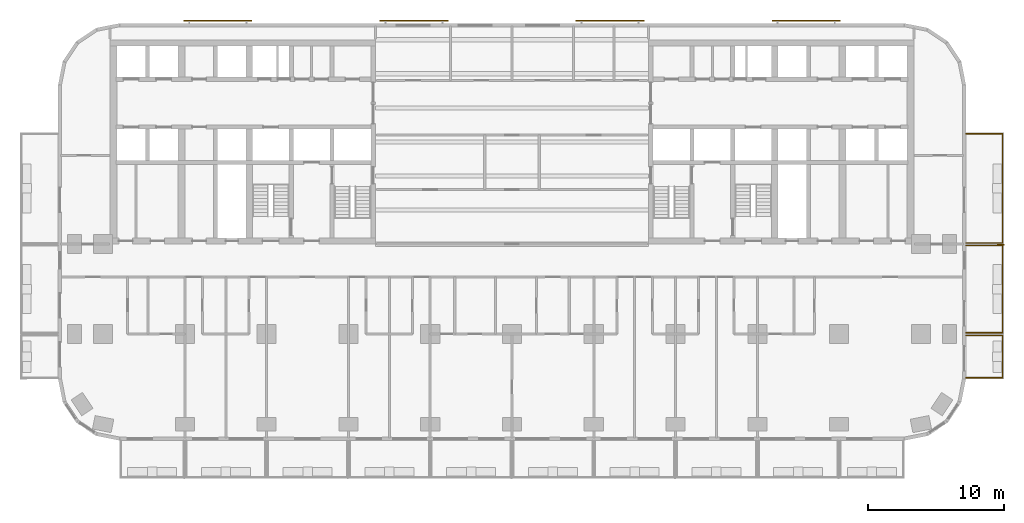
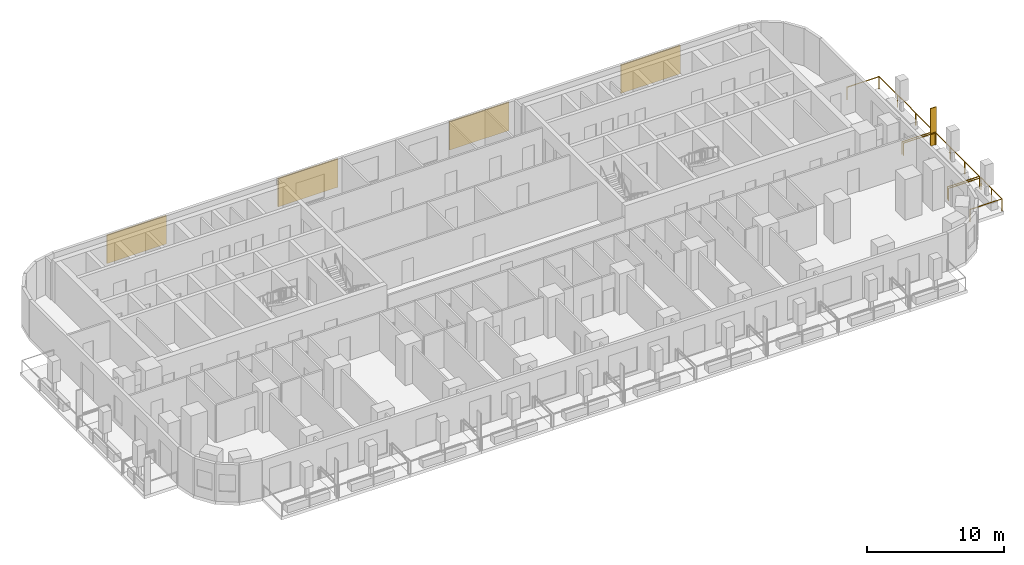
# One storey, part 12 of 13: 5 shading devices, 3 railings.
"""IFC4 building model written with IfcOpenShell, lengths in metres."""

from ifc_helpers import new_model, si_unit, direction, frame, origin, origin_2d, place, context, subcontext, project, spatial, rectangle, circle, extrude, material, layer, layer_set, type_object, element, save


model = new_model("IFC4")

# Units and contexts
model_context = context("Model", 3, precision=1e-05, world=origin(), true_north=direction((0.0, 1.0)))
body_context = subcontext(model_context, "Body", "Model", "MODEL_VIEW")
ifc_project = project(units=[si_unit("LENGTHUNIT", "METRE"), si_unit("AREAUNIT", "SQUARE_METRE"), si_unit("VOLUMEUNIT", "CUBIC_METRE"), si_unit("PLANEANGLEUNIT", "RADIAN"), si_unit("MASSUNIT", "GRAM", prefix="KILO")], contexts=[model_context])

# Site, building, storey
site_placement = place(None, origin())
site = spatial("IfcSite", under=ifc_project, at=site_placement, CompositionType="ELEMENT")
building_placement = place(site_placement, origin())
building = spatial("IfcBuilding", under=site, at=building_placement, Name="Torana Hotel and Residences", CompositionType="ELEMENT")
storey_placement = place(building_placement, frame((0.0, 0.0, 81.60009765625)))
storey = spatial("IfcBuildingStorey", under=building, at=storey_placement, Name="L20", CompositionType="ELEMENT", Elevation=81.60009765625)

# Shading device
ifc_material_1 = material(Name="Black powder coated aluminium", Category="aluminium")
ifc_layer_1 = layer(ifc_material_1, 0.080078125)
ifc_layer_set_1 = layer_set([ifc_layer_1], Name="FN1 VERTICAL FIN 500x80")
shading_device_type_1 = type_object("IfcShadingDeviceType", Name="FN1 VERTICAL FIN 500x80", PredefinedType="USERDEFINED", material=ifc_layer_set_1)
shading_device_placement = place(storey_placement, frame((35.85009765625, -15.0400390625, 0.0), z_axis=(0.0, 0.0, 1.0), x_axis=(0.0, -1.0, 0.0)))
element("IfcShadingDevice", 1, at=shading_device_placement, inside=storey, type_object=shading_device_type_1, Name="Fin 15", ObjectType="FIN", PredefinedType="USERDEFINED", context=body_context, shape_type="SweptSolid", body=[
    extrude(rectangle(XDim=0.080078125, YDim=0.5, at=origin_2d()), origin(), (0.0, 0.0, 1.0), 3.320068359375),
])

# Railings
ifc_material_2 = material(Name="Laminated glass balustrade with black handrail", Category="glass")
railing_type = type_object("IfcRailingType", Name="GR1 BALCONY GUARD 1100 GLASS", PredefinedType="GUARDRAIL", material=ifc_material_2)
railing_1_placement = place(storey_placement, frame((33.300048828125, -21.699951171875, 0.0)))
element("IfcRailing", 2, at=railing_1_placement, inside=storey, type_object=railing_type, Name="Balcony guard 14", PredefinedType="GUARDRAIL", context=body_context, shape_type="SweptSolid", body=[
    extrude(circle(Radius=0.02392578125, at=origin_2d()), frame((0.0, 0.0, 1.076171875), z_axis=(1.0, 0.0, 0.0), x_axis=(0.0, 1.0, 0.0)), (0.0, 0.0, 1.0), 2.699951171875),
    extrude(circle(Radius=0.02392578125, at=origin_2d()), frame((2.699951171875, 0.0, 1.076171875), z_axis=(0.0, -1.0, 0.0), x_axis=(1.0, 0.0, 0.0)), (0.0, 0.0, 1.0), 3.10009765625),
    extrude(circle(Radius=0.02392578125, at=origin_2d()), frame((2.699951171875, -3.10009765625, 1.076171875), z_axis=(-1.0, 0.0, 0.0), x_axis=(0.0, -1.0, 0.0)), (0.0, 0.0, 1.0), 2.699951171875),
    extrude(circle(Radius=0.02099609375, at=origin_2d()), origin(), (0.0, 0.0, 1.0), 1.052001953125),
    extrude(circle(Radius=0.02099609375, at=origin_2d()), frame((2.699951171875, 0.0, 0.0)), (0.0, 0.0, 1.0), 1.052001953125),
    extrude(circle(Radius=0.02099609375, at=origin_2d()), frame((2.699951171875, -1.550048828125, 0.0)), (0.0, 0.0, 1.0), 1.052001953125),
    extrude(circle(Radius=0.02099609375, at=origin_2d()), frame((2.699951171875, -3.10009765625, 0.0)), (0.0, 0.0, 1.0), 1.052001953125),
    extrude(circle(Radius=0.02099609375, at=origin_2d()), frame((0.0, -3.10009765625, 0.0)), (0.0, 0.0, 1.0), 1.052001953125),
])
railing_2_placement = place(storey_placement, frame((33.300048828125, -15.10009765625, 0.0)))
element("IfcRailing", 3, at=railing_2_placement, inside=storey, type_object=railing_type, Name="Balcony guard 15", PredefinedType="GUARDRAIL", context=body_context, shape_type="SweptSolid", body=[
    extrude(circle(Radius=0.02392578125, at=origin_2d()), frame((0.0, 0.0, 1.076171875), z_axis=(1.0, 0.0, 0.0), x_axis=(0.0, 1.0, 0.0)), (0.0, 0.0, 1.0), 2.699951171875),
    extrude(circle(Radius=0.02392578125, at=origin_2d()), frame((2.699951171875, 0.0, 1.076171875), z_axis=(0.0, -1.0, 0.0), x_axis=(1.0, 0.0, 0.0)), (0.0, 0.0, 1.0), 6.39990234375),
    extrude(circle(Radius=0.02392578125, at=origin_2d()), frame((2.699951171875, -6.39990234375, 1.076171875), z_axis=(-1.0, 0.0, 0.0), x_axis=(0.0, -1.0, 0.0)), (0.0, 0.0, 1.0), 2.699951171875),
    extrude(circle(Radius=0.02099609375, at=origin_2d()), origin(), (0.0, 0.0, 1.0), 1.052001953125),
    extrude(circle(Radius=0.02099609375, at=origin_2d()), frame((2.699951171875, 0.0, 0.0)), (0.0, 0.0, 1.0), 1.052001953125),
    extrude(circle(Radius=0.02099609375, at=origin_2d()), frame((2.699951171875, -2.13330078125, 0.0)), (0.0, 0.0, 1.0), 1.052001953125),
    extrude(circle(Radius=0.02099609375, at=origin_2d()), frame((2.699951171875, -4.2666015625, 0.0)), (0.0, 0.0, 1.0), 1.052001953125),
    extrude(circle(Radius=0.02099609375, at=origin_2d()), frame((2.699951171875, -6.39990234375, 0.0)), (0.0, 0.0, 1.0), 1.052001953125),
    extrude(circle(Radius=0.02099609375, at=origin_2d()), frame((0.0, -6.39990234375, 0.0)), (0.0, 0.0, 1.0), 1.052001953125),
])
railing_3_placement = place(storey_placement, frame((33.300048828125, -6.89990234375, 0.0)))
element("IfcRailing", 4, at=railing_3_placement, inside=storey, type_object=railing_type, Name="Balcony guard 16", PredefinedType="GUARDRAIL", context=body_context, shape_type="SweptSolid", body=[
    extrude(circle(Radius=0.02392578125, at=origin_2d()), frame((0.0, 0.0, 1.076171875), z_axis=(1.0, 0.0, 0.0), x_axis=(0.0, 1.0, 0.0)), (0.0, 0.0, 1.0), 2.699951171875),
    extrude(circle(Radius=0.02392578125, at=origin_2d()), frame((2.699951171875, 0.0, 1.076171875), z_axis=(0.0, -1.0, 0.0), x_axis=(1.0, 0.0, 0.0)), (0.0, 0.0, 1.0), 8.0),
    extrude(circle(Radius=0.02392578125, at=origin_2d()), frame((2.699951171875, -8.0, 1.076171875), z_axis=(-1.0, 0.0, 0.0), x_axis=(0.0, -1.0, 0.0)), (0.0, 0.0, 1.0), 2.699951171875),
    extrude(circle(Radius=0.02099609375, at=origin_2d()), origin(), (0.0, 0.0, 1.0), 1.052001953125),
    extrude(circle(Radius=0.02099609375, at=origin_2d()), frame((2.699951171875, 0.0, 0.0)), (0.0, 0.0, 1.0), 1.052001953125),
    extrude(circle(Radius=0.02099609375, at=origin_2d()), frame((2.699951171875, -2.666748046875, 0.0)), (0.0, 0.0, 1.0), 1.052001953125),
    extrude(circle(Radius=0.02099609375, at=origin_2d()), frame((2.699951171875, -5.333251953125, 0.0)), (0.0, 0.0, 1.0), 1.052001953125),
    extrude(circle(Radius=0.02099609375, at=origin_2d()), frame((2.699951171875, -8.0, 0.0)), (0.0, 0.0, 1.0), 1.052001953125),
    extrude(circle(Radius=0.02099609375, at=origin_2d()), frame((0.0, -8.0, 0.0)), (0.0, 0.0, 1.0), 1.052001953125),
])

# Shading devices
ifc_material_3 = material(Name="Concrete C40/50 precast", Category="concrete")
ifc_layer_2 = layer(ifc_material_3, 0.10009765625)
ifc_layer_set_2 = layer_set([ifc_layer_2], Name="SC1 PERFORATED BLOCK SCREEN PANEL 100")
shading_device_type_2 = type_object("IfcShadingDeviceType", Name="SC1 PERFORATED BLOCK SCREEN PANEL 100", PredefinedType="USERDEFINED", material=ifc_layer_set_2)
for number, where, z_axis, x_axis, name in (
    (5, (21.58154296875, 1.39990234375, 0.5), (0.0, 0.0, 1.0), (-1.0, 0.0, 0.0), "Perforated block screen L20"),
    (6, (7.19384765625, 1.39990234375, 0.5), (0.0, 0.0, 1.0), (-1.0, 0.0, 0.0), "Perforated block screen L20"),
    (7, (-7.19384765625, 1.39990234375, 0.5), (0.0, 0.0, 1.0), (-1.0, 0.0, 0.0), "Perforated block screen L20"),
    (8, (-21.58154296875, 1.39990234375, 0.5), (0.0, 0.0, 1.0), (-1.0, 0.0, 0.0), "Perforated block screen L20"),
):
    element("IfcShadingDevice", number, at=place(storey_placement, frame(where, z_axis=z_axis, x_axis=x_axis)), inside=storey, type_object=shading_device_type_2, Name=name, ObjectType="SCREEN", PredefinedType="USERDEFINED", context=body_context, shape_type="SweptSolid", body=[
        extrude(rectangle(XDim=5.0, YDim=0.10009765625, at=origin_2d()), origin(), (0.0, 0.0, 1.0), 2.52001953125),
    ])

save(model, "model.ifc")
